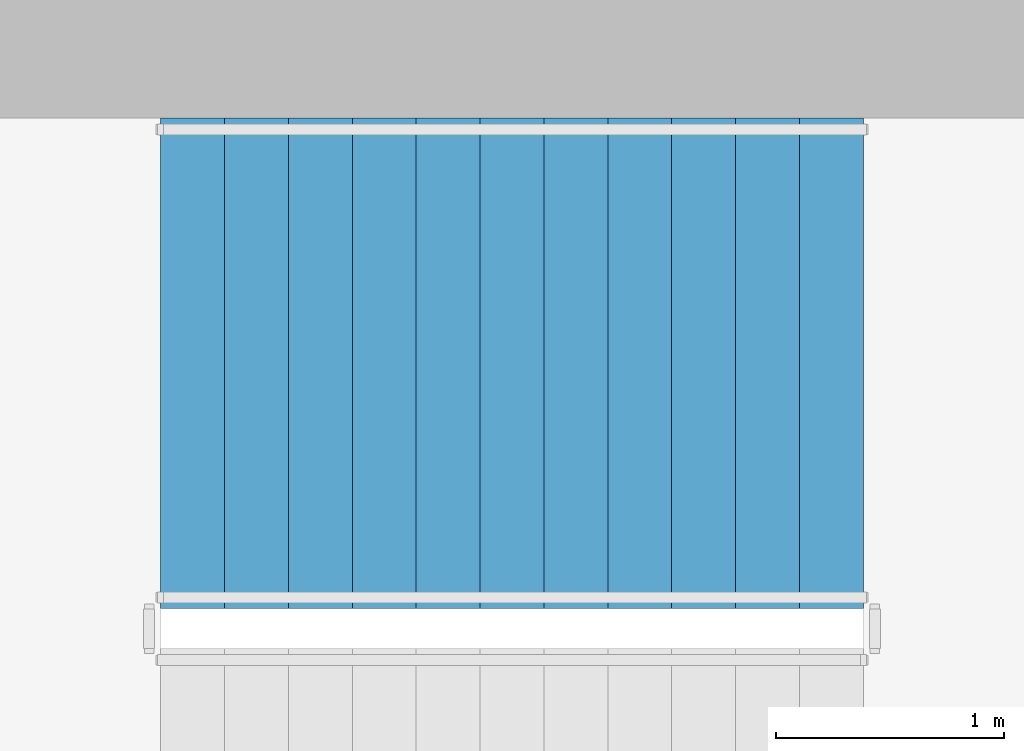
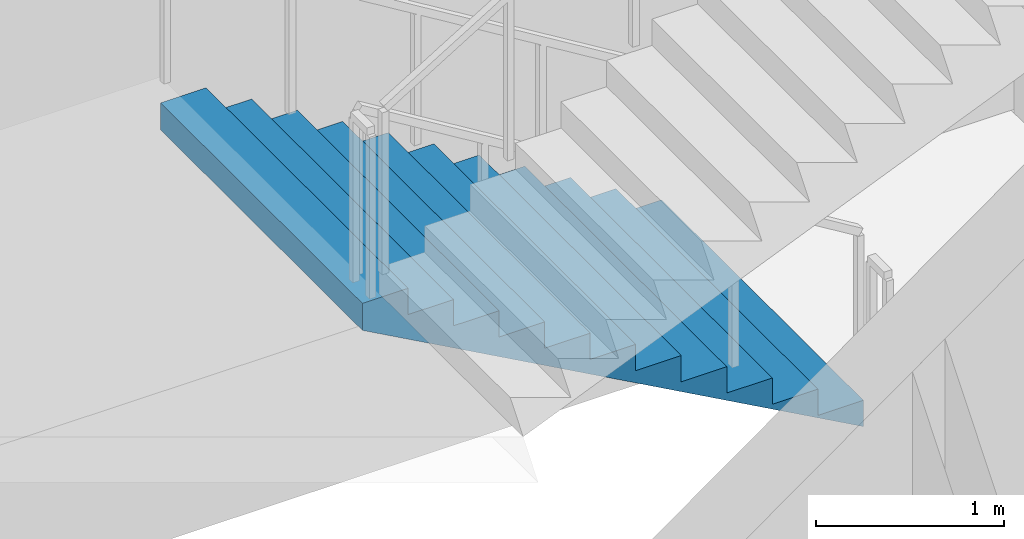
# One storey, part 11 of 17: 1 stair flight, 1 element without a shape of its own.
"""IFC4 building model written with IfcOpenShell, lengths in metres."""

from ifc_helpers import new_model, si_unit, direction, frame, origin, place, context, subcontext, project, spatial, triangles, material, type_object, element, aggregate, save


model = new_model("IFC4")

# Units and contexts
model_context = context("Model", 3, precision=1e-05, world=origin(), true_north=direction((0.0, 1.0)))
body_context = subcontext(model_context, "Body", "Model", "MODEL_VIEW")
ifc_project = project(units=[si_unit("LENGTHUNIT", "METRE"), si_unit("AREAUNIT", "SQUARE_METRE"), si_unit("VOLUMEUNIT", "CUBIC_METRE"), si_unit("PLANEANGLEUNIT", "RADIAN"), si_unit("MASSUNIT", "GRAM", prefix="KILO")], contexts=[model_context])

# Site, building, storey
site_placement = place(None, origin())
site = spatial("IfcSite", under=ifc_project, at=site_placement, CompositionType="ELEMENT")
building_placement = place(site_placement, origin())
building = spatial("IfcBuilding", under=site, at=building_placement, Name="Cypress Arch Tower", CompositionType="ELEMENT")
storey_placement = place(building_placement, frame((0.0, 0.0, 217.89990234375)))
storey = spatial("IfcBuildingStorey", under=building, at=storey_placement, Name="L48", CompositionType="ELEMENT", Elevation=217.89990234375)

# Stair, stair flight
ifc_material_1 = material(Name="Concrete C40/50", Category="concrete")
stair_type = type_object("IfcStairType", Name="Exit stair ES1708-215", PredefinedType="HALF_TURN_STAIR", material=ifc_material_1)
stair_placement = place(storey_placement, origin())
stair = element("IfcStair", 1, at=stair_placement, inside=storey, type_object=stair_type, Name="L48 Exit stair B", PredefinedType="HALF_TURN_STAIR")
ifc_material_2 = material(Name="Concrete C40/50", Category="concrete")
stair_flight_type = type_object("IfcStairFlightType", Name="Exit stair flight ES1708-215", PredefinedType="STRAIGHT", material=ifc_material_2)
stair_flight_placement = place(storey_placement, frame((-22.27490234375, 13.72509765625, 0.0), z_axis=(0.0, 0.0, 1.0), x_axis=(-1.0, 0.0, 0.0)))
stair_flight = element("IfcStairFlight", 2, at=stair_flight_placement, type_object=stair_flight_type, Name="B flight 1", NumberOfRisers=12, NumberOfTreads=11, PredefinedType="STRAIGHT", RiserHeight=0.170833333, TreadLength=0.28, context=body_context, shape_type="Tessellation", body=[
    triangles([(0.0, -1.074951171875, 0.0), (0.000244140625, -1.074951171875, 0.01904296875), (0.000244140625, -1.074951171875, 0.0380859375), (0.00048828125, -1.074951171875, 0.056884765625), (0.00048828125, -1.074951171875, 0.075927734375), (0.00048828125, -1.074951171875, 0.094970703125), (0.00048828125, -1.074951171875, 0.114013671875), (0.000244140625, -1.074951171875, 0.1328125), (0.000244140625, -1.074951171875, 0.15185546875), (0.0, -1.074951171875, 0.1708984375), (0.280029296875, -1.074951171875, 0.1708984375), (0.280029296875, -1.074951171875, 0.341552734375), (0.56005859375, -1.074951171875, 0.341552734375), (0.56005859375, -1.074951171875, 0.512451171875), (0.840087890625, -1.074951171875, 0.512451171875), (0.840087890625, -1.074951171875, 0.683349609375), (1.1201171875, -1.074951171875, 0.683349609375), (1.1201171875, -1.074951171875, 0.854248046875), (1.39990234375, -1.074951171875, 0.854248046875), (1.39990234375, -1.074951171875, 1.02490234375), (1.679931640625, -1.074951171875, 1.02490234375), (1.679931640625, -1.074951171875, 1.19580078125), (1.9599609375, -1.074951171875, 1.19580078125), (1.9599609375, -1.074951171875, 1.36669921875), (2.239990234375, -1.074951171875, 1.36669921875), (2.239990234375, -1.074951171875, 1.53759765625), (2.52001953125, -1.074951171875, 1.53759765625), (2.52001953125, -1.074951171875, 1.708251953125), (2.800048828125, -1.074951171875, 1.708251953125), (2.800048828125, -1.074951171875, 1.879150390625), (3.080078125, -1.074951171875, 1.879150390625), (3.079833984375, -1.074951171875, 1.859619140625), (3.079833984375, -1.074951171875, 1.840087890625), (3.07958984375, -1.074951171875, 1.820556640625), (3.07958984375, -1.074951171875, 1.801025390625), (3.07958984375, -1.074951171875, 1.78173828125), (3.07958984375, -1.074951171875, 1.76220703125), (3.079833984375, -1.074951171875, 1.74267578125), (3.079833984375, -1.074951171875, 1.72314453125), (3.080078125, -1.074951171875, 1.70361328125), (3.080078125, 1.074951171875, 1.70361328125), (3.079833984375, 1.074951171875, 1.72314453125), (3.079833984375, 1.074951171875, 1.74267578125), (3.07958984375, 1.074951171875, 1.76220703125), (3.07958984375, 1.074951171875, 1.78173828125), (3.07958984375, 1.074951171875, 1.801025390625), (3.07958984375, 1.074951171875, 1.820556640625), (3.079833984375, 1.074951171875, 1.840087890625), (3.079833984375, 1.074951171875, 1.859619140625), (3.080078125, 1.074951171875, 1.879150390625), (2.800048828125, 1.074951171875, 1.879150390625), (2.800048828125, 1.074951171875, 1.708251953125), (2.52001953125, 1.074951171875, 1.708251953125), (2.52001953125, 1.074951171875, 1.53759765625), (2.239990234375, 1.074951171875, 1.53759765625), (2.239990234375, 1.074951171875, 1.36669921875), (1.9599609375, 1.074951171875, 1.36669921875), (1.9599609375, 1.074951171875, 1.19580078125), (1.679931640625, 1.074951171875, 1.19580078125), (1.679931640625, 1.074951171875, 1.02490234375), (1.39990234375, 1.074951171875, 1.02490234375), (1.39990234375, 1.074951171875, 0.854248046875), (1.1201171875, 1.074951171875, 0.854248046875), (1.1201171875, 1.074951171875, 0.683349609375), (0.840087890625, 1.074951171875, 0.683349609375), (0.840087890625, 1.074951171875, 0.512451171875), (0.56005859375, 1.074951171875, 0.512451171875), (0.56005859375, 1.074951171875, 0.341552734375), (0.280029296875, 1.074951171875, 0.341552734375), (0.280029296875, 1.074951171875, 0.1708984375), (0.0, 1.074951171875, 0.1708984375), (0.000244140625, 1.074951171875, 0.15185546875), (0.000244140625, 1.074951171875, 0.1328125), (0.00048828125, 1.074951171875, 0.114013671875), (0.00048828125, 1.074951171875, 0.094970703125), (0.00048828125, 1.074951171875, 0.075927734375), (0.00048828125, 1.074951171875, 0.056884765625), (0.000244140625, 1.074951171875, 0.0380859375), (0.000244140625, 1.074951171875, 0.01904296875), (0.0, 1.074951171875, 0.0)], [[40, 39, 30], [39, 38, 30], [38, 37, 30], [37, 36, 30], [36, 35, 30], [35, 34, 30], [34, 33, 30], [33, 32, 30], [32, 31, 30], [19, 18, 17], [27, 26, 25], [25, 24, 23], [23, 22, 21], [17, 16, 15], [15, 14, 13], [10, 9, 11], [9, 8, 11], [8, 7, 11], [7, 6, 11], [6, 5, 11], [5, 4, 11], [4, 3, 11], [3, 2, 11], [2, 1, 11], [29, 28, 27], [21, 20, 19], [13, 12, 11], [40, 30, 29], [40, 29, 27], [40, 27, 25], [40, 25, 23], [40, 23, 21], [40, 21, 19], [40, 19, 17], [40, 17, 15], [40, 15, 13], [1, 40, 13], [13, 11, 1], [41, 51, 42], [42, 51, 43], [43, 51, 44], [44, 51, 45], [45, 51, 46], [46, 51, 47], [47, 51, 48], [48, 51, 49], [49, 51, 50], [62, 64, 63], [54, 56, 55], [56, 58, 57], [58, 60, 59], [64, 66, 65], [66, 68, 67], [71, 70, 72], [72, 70, 73], [73, 70, 74], [74, 70, 75], [75, 70, 76], [76, 70, 77], [77, 70, 78], [78, 70, 79], [79, 70, 80], [52, 54, 53], [60, 62, 61], [68, 70, 69], [41, 52, 51], [41, 54, 52], [41, 56, 54], [41, 58, 56], [41, 60, 58], [41, 62, 60], [41, 64, 62], [41, 66, 64], [41, 68, 66], [80, 68, 41], [68, 80, 70], [41, 42, 39], [41, 39, 40], [42, 43, 38], [42, 38, 39], [43, 44, 37], [43, 37, 38], [44, 45, 36], [44, 36, 37], [45, 46, 35], [45, 35, 36], [46, 47, 34], [46, 34, 35], [47, 48, 33], [47, 33, 34], [48, 49, 32], [48, 32, 33], [49, 50, 31], [49, 31, 32], [50, 51, 30], [50, 30, 31], [51, 52, 29], [51, 29, 30], [52, 53, 28], [52, 28, 29], [53, 54, 27], [53, 27, 28], [54, 55, 26], [54, 26, 27], [55, 56, 25], [55, 25, 26], [56, 57, 24], [56, 24, 25], [57, 58, 23], [57, 23, 24], [58, 59, 22], [58, 22, 23], [59, 60, 21], [59, 21, 22], [60, 61, 20], [60, 20, 21], [61, 62, 19], [61, 19, 20], [62, 63, 18], [62, 18, 19], [63, 64, 17], [63, 17, 18], [64, 65, 16], [64, 16, 17], [65, 66, 15], [65, 15, 16], [66, 67, 14], [66, 14, 15], [67, 68, 13], [67, 13, 14], [68, 69, 12], [68, 12, 13], [69, 70, 11], [69, 11, 12], [70, 71, 10], [70, 10, 11], [71, 72, 9], [71, 9, 10], [72, 73, 8], [72, 8, 9], [73, 74, 7], [73, 7, 8], [74, 75, 6], [74, 6, 7], [75, 76, 5], [75, 5, 6], [76, 77, 4], [76, 4, 5], [77, 78, 3], [77, 3, 4], [78, 79, 2], [78, 2, 3], [79, 80, 1], [79, 1, 2], [80, 41, 40], [80, 40, 1]], closed=True),
])
aggregate(stair, [stair_flight])

save(model, "model.ifc")
